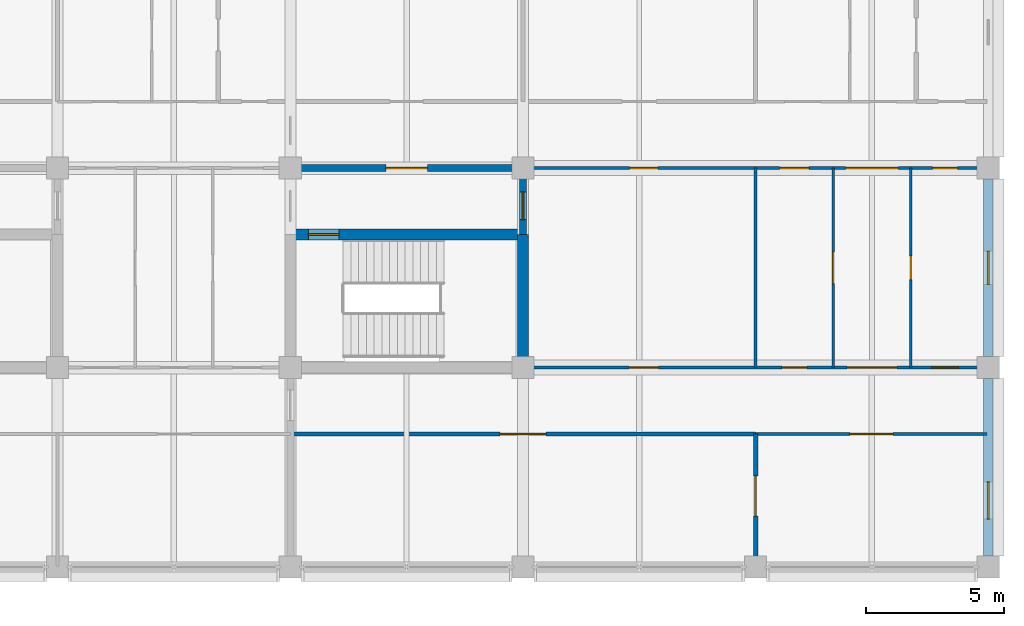
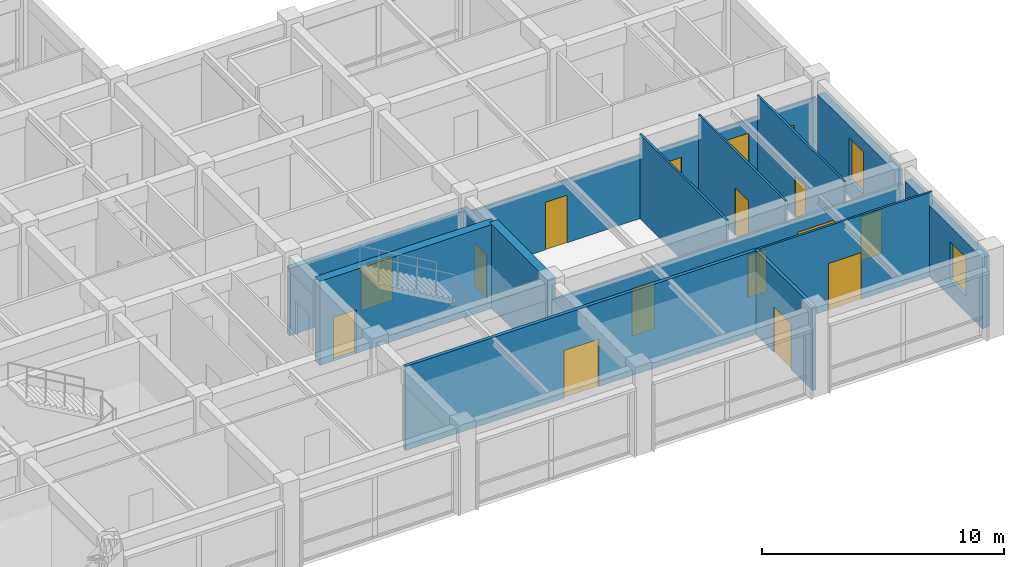
# One storey, part 24 of 30: 16 doors, 14 walls, 2 windows, 18 openings.
"""IFC4 building model written with IfcOpenShell, lengths in metres."""

import ifcopenshell
import ifcopenshell.guid

model = None  # the IFC model being written
_history = None  # IfcOwnerHistory: only IFC2X3 demands one
_inside = {}  # id of a spatial element -> (the spatial element, [elements in it])
_under = {}  # id of a project, library or spatial element -> (it, [spatial elements below it])
_declared = {}  # id of a project -> (the project, [libraries it declares])
_typed = {}  # id of a type object -> (the type object, [elements of that type])
_made_of = {}  # id of a material, layer set ... -> (it, [elements and type objects made of it])


def new_model(schema):
    """Start an empty IFC model of exactly this schema.

    Asked for "IFC4X3", IfcOpenShell would pick the latest addendum, in which some entities
    have other attributes; the version numbers below select the first issue.
    IFC2X3 requires an IfcOwnerHistory on every rooted entity: one is made here for all.
    """
    global model, _history
    if schema == "IFC4X3":
        model = ifcopenshell.file(schema_version=(4, 3, 0, 0))
    else:
        model = ifcopenshell.file(schema=schema)
    _inside.clear()
    _under.clear()
    _declared.clear()
    _typed.clear()
    _made_of.clear()
    _history = None
    if model.schema == "IFC2X3":
        org = make("IfcOrganization", Name="unknown")
        user = make(
            "IfcPersonAndOrganization",
            ThePerson=make("IfcPerson", FamilyName="unknown"),
            TheOrganization=org,
        )
        app = make(
            "IfcApplication",
            ApplicationDeveloper=org,
            Version="unknown",
            ApplicationFullName="unknown",
            ApplicationIdentifier="unknown",
        )
        _history = make(
            "IfcOwnerHistory",
            OwningUser=user,
            OwningApplication=app,
            ChangeAction="ADDED",
            CreationDate=0,
        )
    return model


def make(cls, **values):
    """One entity of the class cls with the attributes given. An attribute that is None is left unset."""
    return model.create_entity(
        cls, **{name: value for name, value in values.items() if value is not None}
    )


def rooted(cls, **values):
    """An entity with a GlobalId (a new one), such as an element, a storey or a relation."""
    return make(cls, GlobalId=ifcopenshell.guid.new(), OwnerHistory=_history, **values)


def si_unit(unit_type, name, prefix=None):
    """IfcSIUnit, for example si_unit("LENGTHUNIT", "METRE", prefix="MILLI")."""
    return make("IfcSIUnit", UnitType=unit_type, Prefix=prefix, Name=name)


def assignment(units):
    """IfcUnitAssignment: the units of a project."""
    return None if units is None else make("IfcUnitAssignment", Units=units)


def point(xyz):
    """IfcCartesianPoint."""
    return None if xyz is None else make("IfcCartesianPoint", Coordinates=xyz)


def direction(xyz):
    """IfcDirection."""
    return None if xyz is None else make("IfcDirection", DirectionRatios=xyz)


def frame(location, z_axis=None, x_axis=None):
    """IfcAxis2Placement3D, a coordinate frame: its origin and axes. An axis left out is left unset."""
    return make(
        "IfcAxis2Placement3D",
        Location=point(location),
        Axis=direction(z_axis),
        RefDirection=direction(x_axis),
    )


def frame_2d(location, x_axis=None):
    """IfcAxis2Placement2D, a coordinate frame in the plane: its origin and x axis."""
    return make(
        "IfcAxis2Placement2D", Location=point(location), RefDirection=direction(x_axis)
    )


def origin():
    """The frame at (0, 0, 0) with its axes left unset."""
    return frame((0.0, 0.0, 0.0))


def place(relative_to, where):
    """IfcLocalPlacement: puts the frame where relative to a parent placement (None: the world)."""
    return make(
        "IfcLocalPlacement", PlacementRelTo=relative_to, RelativePlacement=where
    )


def context(
    kind, dimensions, precision=None, world=None, true_north=None, identifier=None
):
    """IfcGeometricRepresentationContext, for example the 3D "Model" context."""
    return make(
        "IfcGeometricRepresentationContext",
        ContextIdentifier=identifier,
        ContextType=kind,
        CoordinateSpaceDimension=dimensions,
        Precision=precision,
        WorldCoordinateSystem=world,
        TrueNorth=true_north,
    )


def subcontext(parent, identifier, kind, view, scale=None):
    """IfcGeometricRepresentationSubContext, for example "Body" below "Model"."""
    return make(
        "IfcGeometricRepresentationSubContext",
        ContextIdentifier=identifier,
        ContextType=kind,
        ParentContext=parent,
        TargetScale=scale,
        TargetView=view,
    )


def project(units=None, contexts=None):
    """IfcProject with its units and contexts."""
    return rooted(
        "IfcProject",
        Name="project",
        RepresentationContexts=contexts,
        UnitsInContext=assignment(units),
    )


def spatial(cls, under=None, at=None, **own):
    """A site, building, storey or space (cls), placed at a placement, below another one or the project."""
    s = rooted(cls, ObjectPlacement=at, **own)
    if under is not None:
        _under.setdefault(under.id(), (under, []))[1].append(s)
    return s


def profile(cls, at=None, kind="AREA", **sizes):
    """A parametric profile (cls). Its sizes go by their IFC names, for example OverallWidth=200.0."""
    return make(cls, ProfileType=kind, Position=at, **sizes)


def rectangle(**sizes):
    """IfcRectangleProfileDef."""
    return profile("IfcRectangleProfileDef", **sizes)


def extrude(swept, where, along, depth):
    """IfcExtrudedAreaSolid: the profile swept, set in the frame where, extruded along a direction by depth."""
    return make(
        "IfcExtrudedAreaSolid",
        SweptArea=swept,
        Position=where,
        ExtrudedDirection=direction(along),
        Depth=depth,
    )


def shape(context_of_items, identifier, shape_type, items):
    """IfcShapeRepresentation: the items that make up one representation, for example the "Body"."""
    return make(
        "IfcShapeRepresentation",
        ContextOfItems=context_of_items,
        RepresentationIdentifier=identifier,
        RepresentationType=shape_type,
        Items=items,
    )


def material(Name=None, Category=None):
    """IfcMaterial."""
    return make("IfcMaterial", Name=Name, Category=Category)


def layer(
    of_material, thickness, ventilated=None, Name=None, Category=None, Priority=None
):
    """IfcMaterialLayer: one layer of a wall or slab, of a material (None: an air gap)."""
    return make(
        "IfcMaterialLayer",
        Material=of_material,
        LayerThickness=thickness,
        IsVentilated=ventilated,
        Name=Name,
        Category=Category,
        Priority=Priority,
    )


def layer_set(layers, Name=None):
    """IfcMaterialLayerSet."""
    return make("IfcMaterialLayerSet", MaterialLayers=layers, LayerSetName=Name)


def made_of(thing, what):
    """Note that an element or type object is made of a material, layer set ...; save() writes the relation."""
    if what is not None:
        _made_of.setdefault(what.id(), (what, []))[1].append(thing)
    return thing


def type_object(cls, material=None, **own):
    """A type object (cls), such as IfcWallType, which elements share."""
    return made_of(rooted(cls, **own), material)


def element(
    cls,
    number,
    at=None,
    inside=None,
    cuts=None,
    type_object=None,
    material=None,
    context=None,
    identifier="Body",
    shape_type=None,
    held_by="IfcProductDefinitionShape",
    body=None,
    shapes=None,
    **own,
):
    """One element of the class cls, such as IfcWall. Its Tag is "e" and its number.

    at: its placement. inside: the storey or other place that contains it. cuts: it is an
    opening in that element (IfcRelVoidsElement). A single representation is given by context,
    identifier, shape_type and body (its items); several are given by shapes. held_by: the class
    of the entity that holds the representations. save() writes the other relations.
    """
    e = rooted(cls, Tag="e%d" % number, ObjectPlacement=at, **own)
    if body is not None:
        shapes = [shape(context, identifier, shape_type, body)]
    if shapes is not None:
        e.Representation = make(held_by, Representations=shapes)
    if inside is not None:
        _inside.setdefault(inside.id(), (inside, []))[1].append(e)
    if cuts is not None:
        rooted(
            "IfcRelVoidsElement", RelatingBuildingElement=cuts, RelatedOpeningElement=e
        )
    if type_object is not None:
        _typed.setdefault(type_object.id(), (type_object, []))[1].append(e)
    return made_of(e, material)


def fill(opening, filler):
    """IfcRelFillsElement: the door or window that sits in an opening."""
    return rooted(
        "IfcRelFillsElement",
        RelatingOpeningElement=opening,
        RelatedBuildingElement=filler,
    )


def aggregate(whole, parts):
    """IfcRelAggregates: a whole, such as a stair, and the parts it consists of."""
    return rooted("IfcRelAggregates", RelatingObject=whole, RelatedObjects=parts)


def save(model, path):
    """Write the relations noted so far, then the file.

    IfcRelAggregates (storeys below a building ...), IfcRelContainedInSpatialStructure (elements
    in a storey), IfcRelDefinesByType, IfcRelAssociatesMaterial and IfcRelDeclares: one each for
    every whole, place, type object, material and project.
    """
    for whole, parts in _under.values():
        aggregate(whole, parts)
    for where, things in _inside.values():
        rooted(
            "IfcRelContainedInSpatialStructure",
            RelatedElements=things,
            RelatingStructure=where,
        )
    for kind, things in _typed.values():
        rooted("IfcRelDefinesByType", RelatedObjects=things, RelatingType=kind)
    for what, things in _made_of.values():
        rooted("IfcRelAssociatesMaterial", RelatedObjects=things, RelatingMaterial=what)
    for by, libraries in _declared.values():
        rooted("IfcRelDeclares", RelatingContext=by, RelatedDefinitions=libraries)
    model.write(path)


model = new_model("IFC4")

# Units and contexts
model_context = context("Model", 3, precision=1e-05, world=origin(), true_north=direction((0.0, 1.0)))
body_context = subcontext(model_context, "Body", "Model", "MODEL_VIEW")
ifc_project = project(units=[si_unit("LENGTHUNIT", "METRE"), si_unit("AREAUNIT", "SQUARE_METRE"), si_unit("VOLUMEUNIT", "CUBIC_METRE"), si_unit("PLANEANGLEUNIT", "RADIAN"), si_unit("MASSUNIT", "GRAM", prefix="KILO")], contexts=[model_context])

# Site, building, storey
site_placement = place(None, origin())
site = spatial("IfcSite", under=ifc_project, at=site_placement, CompositionType="ELEMENT")
building_placement = place(site_placement, origin())
building = spatial("IfcBuilding", under=site, at=building_placement, Name="Chengyuan Square Courthouse", CompositionType="ELEMENT")
storey_placement = place(building_placement, frame((0.0, 0.0, 26.10009765625)))
storey = spatial("IfcBuildingStorey", under=building, at=storey_placement, Name="L06", CompositionType="ELEMENT", Elevation=26.10009765625)

# Wall, opening, window
ifc_material_1 = material(Name="Concrete C40", Category="concrete")
ifc_layer_1 = layer(ifc_material_1, 0.35009765625)
ifc_layer_set_1 = layer_set([ifc_layer_1], Name="Concrete C40")
wall_type_1 = type_object("IfcWallType", Name="WL-EW2", PredefinedType="STANDARD", material=ifc_layer_set_1)
wall_1_placement = place(storey_placement, frame((142.800048828125, 79.594970703125, 0.0), z_axis=(0.0, 0.0, 1.0), x_axis=(0.0, 1.0, 0.0)))
wall_1 = element("IfcWall", 1, at=wall_1_placement, inside=storey, type_object=wall_type_1, Name="Exterior Wall WL-L06-E372", PredefinedType="STANDARD", context=body_context, shape_type="SweptSolid", body=[
    extrude(rectangle(XDim=6.409912109375, YDim=0.35009765625, at=frame_2d((3.205078125, 0.0))), origin(), (0.0, 0.0, 1.0), 3.58984375),
])
opening_1_placement = place(wall_1_placement, frame((1.330078125, 0.0, 0.85009765625)))
opening_1 = element("IfcOpeningElement", 2, at=opening_1_placement, cuts=wall_1, Name="Opening WN-134", PredefinedType="OPENING", context=body_context, shape_type="SweptSolid", body=[
    extrude(rectangle(XDim=1.35009765625, YDim=1.919921875, at=frame_2d((0.675048828125, 0.9599609375))), frame((0.0, 0.18701171875, 0.0), z_axis=(0.0, -1.0, 0.0), x_axis=(1.0, 0.0, 0.0)), (0.0, 0.0, 1.0), 0.3740234375),
])
ifc_material_2 = material(Name="Thermally Broken Aluminium Triple Low-E Window", Category="aluminium")
window_type_1 = type_object("IfcWindowType", Name="WT-23", PartitioningType="SINGLE_PANEL", PredefinedType="WINDOW", material=ifc_material_2)
window_1_placement = place(opening_1_placement, origin())
window_1 = element("IfcWindow", 3, at=window_1_placement, inside=storey, type_object=window_type_1, Name="Facade Window WN-134", OverallHeight=1.919921875, OverallWidth=1.35009765625, PartitioningType="SINGLE_PANEL", PredefinedType="WINDOW", context=body_context, shape_type="SweptSolid", body=[
    extrude(rectangle(XDim=1.35009765625, YDim=1.919921875, at=frame_2d((0.675048828125, 0.9599609375))), frame((0.0, 0.030029296875, 0.0), z_axis=(0.0, -1.0, 0.0), x_axis=(1.0, 0.0, 0.0)), (0.0, 0.0, 1.0), 0.06005859375),
])
fill(opening_1, window_1)

wall_2_placement = place(storey_placement, frame((142.800048828125, 86.794921875, 0.0), z_axis=(0.0, 0.0, 1.0), x_axis=(0.0, 1.0, 0.0)))
wall_2 = element("IfcWall", 4, at=wall_2_placement, inside=storey, type_object=wall_type_1, Name="Exterior Wall WL-L06-E373", PredefinedType="STANDARD", context=body_context, shape_type="SweptSolid", body=[
    extrude(rectangle(XDim=6.41015625, YDim=0.35009765625, at=frame_2d((3.205078125, 0.0))), origin(), (0.0, 0.0, 1.0), 3.58984375),
])
opening_2_placement = place(wall_2_placement, frame((2.60498046875, 0.0, 0.85009765625)))
opening_2 = element("IfcOpeningElement", 5, at=opening_2_placement, cuts=wall_2, Name="Opening WN-135", PredefinedType="OPENING", context=body_context, shape_type="SweptSolid", body=[
    extrude(rectangle(XDim=1.199951171875, YDim=2.1201171875, at=frame_2d((0.60009765625, 1.06005859375))), frame((0.0, 0.18701171875, 0.0), z_axis=(0.0, -1.0, 0.0), x_axis=(1.0, 0.0, 0.0)), (0.0, 0.0, 1.0), 0.3740234375),
])
window_type_2 = type_object("IfcWindowType", Name="WT-18", PartitioningType="SINGLE_PANEL", PredefinedType="WINDOW", material=ifc_material_2)
window_2_placement = place(opening_2_placement, origin())
window_2 = element("IfcWindow", 6, at=window_2_placement, inside=storey, type_object=window_type_2, Name="Facade Window WN-135", OverallHeight=2.1201171875, OverallWidth=1.199951171875, PartitioningType="SINGLE_PANEL", PredefinedType="WINDOW", context=body_context, shape_type="SweptSolid", body=[
    extrude(rectangle(XDim=1.199951171875, YDim=2.1201171875, at=frame_2d((0.60009765625, 1.06005859375))), frame((0.0, 0.030029296875, 0.0), z_axis=(0.0, -1.0, 0.0), x_axis=(1.0, 0.0, 0.0)), (0.0, 0.0, 1.0), 0.06005859375),
])
fill(opening_2, window_2)

# Wall, opening, door
ifc_layer_2 = layer(ifc_material_1, 0.25)
ifc_layer_set_2 = layer_set([ifc_layer_2], Name="Concrete C40")
wall_type_2 = type_object("IfcWallType", Name="WL-FW1", PredefinedType="STANDARD", material=ifc_layer_set_2)
wall_3_placement = place(storey_placement, frame((117.60009765625, 93.60009765625, 0.0), z_axis=(0.0, 0.0, 1.0), x_axis=(1.0, 0.0, 0.0)))
wall_3 = element("IfcWall", 7, at=wall_3_placement, inside=storey, type_object=wall_type_2, Name="Interior Wall WL-L06-I2398", PredefinedType="STANDARD", context=body_context, shape_type="SweptSolid", body=[
    extrude(rectangle(XDim=8.39990234375, YDim=0.25, at=frame_2d((4.199951171875, 0.0))), origin(), (0.0, 0.0, 1.0), 3.389892578125),
])
opening_3_placement = place(wall_3_placement, frame((3.449951171875, 0.0, 0.0)))
opening_3 = element("IfcOpeningElement", 8, at=opening_3_placement, cuts=wall_3, Name="Opening DR-2132", PredefinedType="OPENING", context=body_context, shape_type="SweptSolid", body=[
    extrude(rectangle(XDim=1.5, YDim=2.25, at=frame_2d((0.75, 1.125))), frame((0.0, 0.136962890625, 0.0), z_axis=(0.0, -1.0, 0.0), x_axis=(1.0, 0.0, 0.0)), (0.0, 0.0, 1.0), 0.27392578125),
])
ifc_material_3 = material(Name="Steel Q235B Glazed Fire Door", Category="steel")
door_type_1 = type_object("IfcDoorType", Name="DT-19", OperationType="DOUBLE_DOOR_SINGLE_SWING", PredefinedType="DOOR", material=ifc_material_3)
door_1_placement = place(opening_3_placement, frame((1.5, 0.0, 0.0), z_axis=(0.0, 0.0, 1.0), x_axis=(-1.0, 0.0, 0.0)))
door_1 = element("IfcDoor", 9, at=door_1_placement, inside=storey, type_object=door_type_1, Name="Interior Door DR-2132", OperationType="DOUBLE_DOOR_SINGLE_SWING", OverallHeight=2.25, OverallWidth=1.5, PredefinedType="DOOR", context=body_context, shape_type="SweptSolid", body=[
    extrude(rectangle(XDim=1.5, YDim=2.25, at=frame_2d((0.75, 1.125))), frame((0.0, 0.02490234375, 0.0), z_axis=(0.0, -1.0, 0.0), x_axis=(1.0, 0.0, 0.0)), (0.0, 0.0, 1.0), 0.050048828125),
])
fill(opening_3, door_1)

wall_4_placement = place(storey_placement, frame((126.0, 91.199951171875, 0.0), z_axis=(0.0, 0.0, 1.0), x_axis=(0.0, 1.0, 0.0)))
wall_4 = element("IfcWall", 10, at=wall_4_placement, inside=storey, type_object=wall_type_2, Name="Interior Wall WL-L06-I2604", PredefinedType="STANDARD", context=body_context, shape_type="SweptSolid", body=[
    extrude(rectangle(XDim=2.400146484375, YDim=0.25, at=frame_2d((1.2001953125, 0.0))), origin(), (0.0, 0.0, 1.0), 3.489990234375),
])
opening_4_placement = place(wall_4_placement, frame((0.5400390625, 0.0, 0.0)))
opening_4 = element("IfcOpeningElement", 11, at=opening_4_placement, cuts=wall_4, Name="Opening DR-2134", PredefinedType="OPENING", context=body_context, shape_type="SweptSolid", body=[
    extrude(rectangle(XDim=1.0, YDim=2.199951171875, at=frame_2d((0.5, 1.10009765625))), frame((0.0, 0.136962890625, 0.0), z_axis=(0.0, -1.0, 0.0), x_axis=(1.0, 0.0, 0.0)), (0.0, 0.0, 1.0), 0.27392578125),
])
ifc_material_4 = material(Name="Steel Q235B Fire Door", Category="steel")
door_type_2 = type_object("IfcDoorType", Name="DT-11", OperationType="NOTDEFINED", PredefinedType="DOOR", material=ifc_material_4)
door_2_placement = place(opening_4_placement, origin())
door_2 = element("IfcDoor", 12, at=door_2_placement, inside=storey, type_object=door_type_2, Name="Interior Door DR-2134", OperationType="SINGLE_SWING_RIGHT", OverallHeight=2.199951171875, OverallWidth=1.0, PredefinedType="DOOR", context=body_context, shape_type="SweptSolid", body=[
    extrude(rectangle(XDim=1.0, YDim=2.199951171875, at=frame_2d((0.5, 1.10009765625))), frame((0.0, 0.02490234375, 0.0), z_axis=(0.0, -1.0, 0.0), x_axis=(1.0, 0.0, 0.0)), (0.0, 0.0, 1.0), 0.050048828125),
])
fill(opening_4, door_2)

ifc_material_5 = material(Name="Acoustic Timber-Lined Gypsum Partition", Category="wood")
ifc_layer_3 = layer(ifc_material_5, 0.159912109375)
ifc_layer_set_3 = layer_set([ifc_layer_3], Name="Acoustic Timber-Lined Gypsum Partition")
wall_type_3 = type_object("IfcWallType", Name="WL-PT2", PredefinedType="STANDARD", material=ifc_layer_set_3)
wall_5_placement = place(storey_placement, frame((117.60009765625, 84.0, 0.0), z_axis=(0.0, 0.0, 1.0), x_axis=(1.0, 0.0, 0.0)))
wall_5 = element("IfcWall", 13, at=wall_5_placement, inside=storey, type_object=wall_type_3, Name="Interior Wall WL-L06-I2364", PredefinedType="STANDARD", context=body_context, shape_type="SweptSolid", body=[
    extrude(rectangle(XDim=16.7998046875, YDim=0.159912109375, at=frame_2d((8.39990234375, 0.0))), origin(), (0.0, 0.0, 1.0), 4.239990234375),
])
opening_5_placement = place(wall_5_placement, frame((7.574951171875, 0.0, 0.0)))
opening_5 = element("IfcOpeningElement", 14, at=opening_5_placement, cuts=wall_5, Name="Opening DR-2299", PredefinedType="OPENING", context=body_context, shape_type="SweptSolid", body=[
    extrude(rectangle(XDim=1.64990234375, YDim=2.39990234375, at=frame_2d((0.824951171875, 1.199951171875))), frame((0.0, 0.092041015625, 0.0), z_axis=(0.0, -1.0, 0.0), x_axis=(1.0, 0.0, 0.0)), (0.0, 0.0, 1.0), 0.183837890625),
])
ifc_material_6 = material(Name="Acoustic Larch Veneer Double Door")
door_type_3 = type_object("IfcDoorType", Name="DT-22", OperationType="DOUBLE_DOOR_SINGLE_SWING", PredefinedType="DOOR", material=ifc_material_6)
door_3_placement = place(opening_5_placement, frame((1.64990234375, 0.0, 0.0), z_axis=(0.0, 0.0, 1.0), x_axis=(-1.0, 0.0, 0.0)))
door_3 = element("IfcDoor", 15, at=door_3_placement, inside=storey, type_object=door_type_3, Name="Interior Door DR-2299", OperationType="DOUBLE_DOOR_SINGLE_SWING", OverallHeight=2.39990234375, OverallWidth=1.64990234375, PredefinedType="DOOR", context=body_context, shape_type="SweptSolid", body=[
    extrude(rectangle(XDim=1.64990234375, YDim=2.39990234375, at=frame_2d((0.824951171875, 1.199951171875))), frame((0.0, 0.02490234375, 0.0), z_axis=(0.0, -1.0, 0.0), x_axis=(1.0, 0.0, 0.0)), (0.0, 0.0, 1.0), 0.050048828125),
])
fill(opening_5, door_3)

wall_6_placement = place(storey_placement, frame((134.39990234375, 79.239990234375, 0.0), z_axis=(0.0, 0.0, 1.0), x_axis=(0.0, 1.0, 0.0)))
wall_6 = element("IfcWall", 16, at=wall_6_placement, inside=storey, type_object=wall_type_3, Name="Interior Wall WL-L06-I2608", PredefinedType="STANDARD", context=body_context, shape_type="SweptSolid", body=[
    extrude(rectangle(XDim=4.760009765625, YDim=0.159912109375, at=frame_2d((2.3798828125, 0.0))), origin(), (0.0, 0.0, 1.0), 4.239990234375),
])
opening_6_placement = place(wall_6_placement, frame((1.794921875, 0.0, 0.0)))
opening_6 = element("IfcOpeningElement", 17, at=opening_6_placement, cuts=wall_6, Name="Opening DR-2302", PredefinedType="OPENING", context=body_context, shape_type="SweptSolid", body=[
    extrude(rectangle(XDim=1.449951171875, YDim=2.300048828125, at=frame_2d((0.72509765625, 1.14990234375))), frame((0.0, 0.092041015625, 0.0), z_axis=(0.0, -1.0, 0.0), x_axis=(1.0, 0.0, 0.0)), (0.0, 0.0, 1.0), 0.183837890625),
])
door_type_4 = type_object("IfcDoorType", Name="DT-25", OperationType="DOUBLE_DOOR_SINGLE_SWING", PredefinedType="DOOR", material=ifc_material_6)
door_4_placement = place(opening_6_placement, frame((1.449951171875, 0.0, 0.0), z_axis=(0.0, 0.0, 1.0), x_axis=(-1.0, 0.0, 0.0)))
door_4 = element("IfcDoor", 18, at=door_4_placement, inside=storey, type_object=door_type_4, Name="Interior Door DR-2302", OperationType="DOUBLE_DOOR_SINGLE_SWING", OverallHeight=2.300048828125, OverallWidth=1.449951171875, PredefinedType="DOOR", context=body_context, shape_type="SweptSolid", body=[
    extrude(rectangle(XDim=1.449951171875, YDim=2.300048828125, at=frame_2d((0.72509765625, 1.14990234375))), frame((0.0, 0.02490234375, 0.0), z_axis=(0.0, -1.0, 0.0), x_axis=(1.0, 0.0, 0.0)), (0.0, 0.0, 1.0), 0.050048828125),
])
fill(opening_6, door_4)

ifc_material_7 = material(Name="Gypsum Plasterboard Acoustic Stud Partition")
ifc_layer_4 = layer(ifc_material_7, 0.10009765625)
ifc_layer_set_4 = layer_set([ifc_layer_4], Name="Gypsum Plasterboard Acoustic Stud Partition")
wall_type_4 = type_object("IfcWallType", Name="WL-PT6", PredefinedType="STANDARD", material=ifc_layer_set_4)
wall_7_placement = place(storey_placement, frame((134.39990234375, 84.0, 0.0), z_axis=(0.0, 0.0, 1.0), x_axis=(1.0, 0.0, 0.0)))
wall_7 = element("IfcWall", 19, at=wall_7_placement, inside=storey, type_object=wall_type_4, Name="Interior Wall WL-L06-I2365", PredefinedType="STANDARD", context=body_context, shape_type="SweptSolid", body=[
    extrude(rectangle(XDim=8.360107421875, YDim=0.10009765625, at=frame_2d((4.18017578125, 0.0))), origin(), (0.0, 0.0, 1.0), 4.239990234375),
])
opening_7_placement = place(wall_7_placement, frame((3.405029296875, 0.0, 0.0)))
opening_7 = element("IfcOpeningElement", 20, at=opening_7_placement, cuts=wall_7, Name="Opening DR-2300", PredefinedType="OPENING", context=body_context, shape_type="SweptSolid", body=[
    extrude(rectangle(XDim=1.550048828125, YDim=2.35009765625, at=frame_2d((0.77490234375, 1.175048828125))), frame((0.0, 0.06201171875, 0.0), z_axis=(0.0, -1.0, 0.0), x_axis=(1.0, 0.0, 0.0)), (0.0, 0.0, 1.0), 0.1240234375),
])
door_type_5 = type_object("IfcDoorType", Name="DT-23", OperationType="DOUBLE_DOOR_SINGLE_SWING", PredefinedType="DOOR", material=ifc_material_6)
door_5_placement = place(opening_7_placement, frame((1.550048828125, 0.0, 0.0), z_axis=(0.0, 0.0, 1.0), x_axis=(-1.0, 0.0, 0.0)))
door_5 = element("IfcDoor", 21, at=door_5_placement, inside=storey, type_object=door_type_5, Name="Interior Door DR-2300", OperationType="DOUBLE_DOOR_SINGLE_SWING", OverallHeight=2.35009765625, OverallWidth=1.550048828125, PredefinedType="DOOR", context=body_context, shape_type="SweptSolid", body=[
    extrude(rectangle(XDim=1.550048828125, YDim=2.35009765625, at=frame_2d((0.77490234375, 1.175048828125))), frame((0.0, 0.02490234375, 0.0), z_axis=(0.0, -1.0, 0.0), x_axis=(1.0, 0.0, 0.0)), (0.0, 0.0, 1.0), 0.050048828125),
])
fill(opening_7, door_5)

# Wall, openings, doors
wall_8_placement = place(storey_placement, frame((126.0, 86.39990234375, 0.0), z_axis=(0.0, 0.0, 1.0), x_axis=(1.0, 0.0, 0.0)))
wall_8 = element("IfcWall", 22, at=wall_8_placement, inside=storey, type_object=wall_type_4, Name="Interior Wall WL-L06-I2377", PredefinedType="STANDARD", context=body_context, shape_type="SweptSolid", body=[
    extrude(rectangle(XDim=16.760009765625, YDim=0.10009765625, at=frame_2d((8.3798828125, 0.0))), origin(), (0.0, 0.0, 1.0), 3.18994140625),
])
opening_8_placement = place(wall_8_placement, frame((3.830078125, 0.0, 0.0)))
opening_8 = element("IfcOpeningElement", 23, at=opening_8_placement, cuts=wall_8, Name="Opening DR-2270", PredefinedType="OPENING", context=body_context, shape_type="SweptSolid", body=[
    extrude(rectangle(XDim=1.06005859375, YDim=2.39990234375, at=frame_2d((0.530029296875, 1.199951171875))), frame((0.0, 0.06201171875, 0.0), z_axis=(0.0, -1.0, 0.0), x_axis=(1.0, 0.0, 0.0)), (0.0, 0.0, 1.0), 0.1240234375),
])
opening_9_placement = place(wall_8_placement, frame((9.35009765625, 0.0, 0.0)))
opening_9 = element("IfcOpeningElement", 24, at=opening_9_placement, cuts=wall_8, Name="Opening DR-2272", PredefinedType="OPENING", context=body_context, shape_type="SweptSolid", body=[
    extrude(rectangle(XDim=0.89990234375, YDim=2.14990234375, at=frame_2d((0.449951171875, 1.074951171875))), frame((0.0, 0.06201171875, 0.0), z_axis=(0.0, -1.0, 0.0), x_axis=(1.0, 0.0, 0.0)), (0.0, 0.0, 1.0), 0.1240234375),
])
opening_10_placement = place(wall_8_placement, frame((11.699951171875, 0.0, 0.0)))
opening_10 = element("IfcOpeningElement", 25, at=opening_10_placement, cuts=wall_8, Name="Opening DR-2274", PredefinedType="OPENING", context=body_context, shape_type="SweptSolid", body=[
    extrude(rectangle(XDim=1.800048828125, YDim=2.5, at=frame_2d((0.89990234375, 1.25))), frame((0.0, 0.06201171875, 0.0), z_axis=(0.0, -1.0, 0.0), x_axis=(1.0, 0.0, 0.0)), (0.0, 0.0, 1.0), 0.1240234375),
])
opening_11_placement = place(wall_8_placement, frame((14.760009765625, 0.0, 0.0)))
opening_11 = element("IfcOpeningElement", 26, at=opening_11_placement, cuts=wall_8, Name="Opening DR-2275", PredefinedType="OPENING", context=body_context, shape_type="SweptSolid", body=[
    extrude(rectangle(XDim=0.9599609375, YDim=2.199951171875, at=frame_2d((0.47998046875, 1.10009765625))), frame((0.0, 0.06201171875, 0.0), z_axis=(0.0, -1.0, 0.0), x_axis=(1.0, 0.0, 0.0)), (0.0, 0.0, 1.0), 0.1240234375),
])
door_type_6 = type_object("IfcDoorType", Name="DT-21", OperationType="DOUBLE_DOOR_SINGLE_SWING", PredefinedType="DOOR", material=ifc_material_6)
door_6_placement = place(opening_10_placement, frame((1.800048828125, 0.0, 0.0), z_axis=(0.0, 0.0, 1.0), x_axis=(-1.0, 0.0, 0.0)))
door_6 = element("IfcDoor", 27, at=door_6_placement, inside=storey, type_object=door_type_6, Name="Interior Door DR-2274", OperationType="DOUBLE_DOOR_SINGLE_SWING", OverallHeight=2.5, OverallWidth=1.800048828125, PredefinedType="DOOR", context=body_context, shape_type="SweptSolid", body=[
    extrude(rectangle(XDim=1.800048828125, YDim=2.5, at=frame_2d((0.89990234375, 1.25))), frame((0.0, 0.02490234375, 0.0), z_axis=(0.0, -1.0, 0.0), x_axis=(1.0, 0.0, 0.0)), (0.0, 0.0, 1.0), 0.050048828125),
])
fill(opening_10, door_6)
ifc_material_8 = material(Name="Acoustic Solid-Core Timber Door", Category="wood")
door_type_7 = type_object("IfcDoorType", Name="DT-27", OperationType="NOTDEFINED", PredefinedType="DOOR", material=ifc_material_8)
door_7_placement = place(opening_9_placement, origin())
door_7 = element("IfcDoor", 28, at=door_7_placement, inside=storey, type_object=door_type_7, Name="Interior Door DR-2272", OperationType="SINGLE_SWING_LEFT", OverallHeight=2.14990234375, OverallWidth=0.89990234375, PredefinedType="DOOR", context=body_context, shape_type="SweptSolid", body=[
    extrude(rectangle(XDim=0.89990234375, YDim=2.14990234375, at=frame_2d((0.449951171875, 1.074951171875))), frame((0.0, 0.02490234375, 0.0), z_axis=(0.0, -1.0, 0.0), x_axis=(1.0, 0.0, 0.0)), (0.0, 0.0, 1.0), 0.050048828125),
])
fill(opening_9, door_7)
door_type_8 = type_object("IfcDoorType", Name="DT-30", OperationType="NOTDEFINED", PredefinedType="DOOR", material=ifc_material_8)
door_8_placement = place(opening_11_placement, origin())
door_8 = element("IfcDoor", 29, at=door_8_placement, inside=storey, type_object=door_type_8, Name="Interior Door DR-2275", OperationType="SINGLE_SWING_LEFT", OverallHeight=2.199951171875, OverallWidth=0.9599609375, PredefinedType="DOOR", context=body_context, shape_type="SweptSolid", body=[
    extrude(rectangle(XDim=0.9599609375, YDim=2.199951171875, at=frame_2d((0.47998046875, 1.10009765625))), frame((0.0, 0.02490234375, 0.0), z_axis=(0.0, -1.0, 0.0), x_axis=(1.0, 0.0, 0.0)), (0.0, 0.0, 1.0), 0.050048828125),
])
fill(opening_11, door_8)
door_type_9 = type_object("IfcDoorType", Name="DT-42", OperationType="NOTDEFINED", PredefinedType="DOOR", material=ifc_material_8)
door_9_placement = place(opening_8_placement, origin())
door_9 = element("IfcDoor", 30, at=door_9_placement, inside=storey, type_object=door_type_9, Name="Interior Door DR-2270", OperationType="SINGLE_SWING_LEFT", OverallHeight=2.39990234375, OverallWidth=1.06005859375, PredefinedType="DOOR", context=body_context, shape_type="SweptSolid", body=[
    extrude(rectangle(XDim=1.06005859375, YDim=2.39990234375, at=frame_2d((0.530029296875, 1.199951171875))), frame((0.0, 0.02490234375, 0.0), z_axis=(0.0, -1.0, 0.0), x_axis=(1.0, 0.0, 0.0)), (0.0, 0.0, 1.0), 0.050048828125),
])
fill(opening_8, door_9)

wall_9_placement = place(storey_placement, frame((126.0, 93.60009765625, 0.0), z_axis=(0.0, 0.0, 1.0), x_axis=(1.0, 0.0, 0.0)))
wall_9 = element("IfcWall", 31, at=wall_9_placement, inside=storey, type_object=wall_type_4, Name="Interior Wall WL-L06-I2399", PredefinedType="STANDARD", context=body_context, shape_type="SweptSolid", body=[
    extrude(rectangle(XDim=16.760009765625, YDim=0.10009765625, at=frame_2d((8.3798828125, 0.0))), origin(), (0.0, 0.0, 1.0), 3.18994140625),
])
opening_12_placement = place(wall_9_placement, frame((3.85009765625, 0.0, 0.0)))
opening_12 = element("IfcOpeningElement", 32, at=opening_12_placement, cuts=wall_9, Name="Opening DR-2235", PredefinedType="OPENING", context=body_context, shape_type="SweptSolid", body=[
    extrude(rectangle(XDim=1.02001953125, YDim=2.39990234375, at=frame_2d((0.510009765625, 1.199951171875))), frame((0.0, 0.06201171875, 0.0), z_axis=(0.0, -1.0, 0.0), x_axis=(1.0, 0.0, 0.0)), (0.0, 0.0, 1.0), 0.1240234375),
])
opening_13_placement = place(wall_9_placement, frame((9.27001953125, 0.0, 0.0)))
opening_13 = element("IfcOpeningElement", 33, at=opening_13_placement, cuts=wall_9, Name="Opening DR-2236", PredefinedType="OPENING", context=body_context, shape_type="SweptSolid", body=[
    extrude(rectangle(XDim=1.06005859375, YDim=2.39990234375, at=frame_2d((0.530029296875, 1.199951171875))), frame((0.0, 0.06201171875, 0.0), z_axis=(0.0, -1.0, 0.0), x_axis=(1.0, 0.0, 0.0)), (0.0, 0.0, 1.0), 0.1240234375),
])
opening_14_placement = place(wall_9_placement, frame((11.64990234375, 0.0, 0.0)))
opening_14 = element("IfcOpeningElement", 34, at=opening_14_placement, cuts=wall_9, Name="Opening DR-2237", PredefinedType="OPENING", context=body_context, shape_type="SweptSolid", body=[
    extrude(rectangle(XDim=1.89990234375, YDim=2.5, at=frame_2d((0.949951171875, 1.25))), frame((0.0, 0.06201171875, 0.0), z_axis=(0.0, -1.0, 0.0), x_axis=(1.0, 0.0, 0.0)), (0.0, 0.0, 1.0), 0.1240234375),
])
opening_15_placement = place(wall_9_placement, frame((14.7900390625, 0.0, 0.0)))
opening_15 = element("IfcOpeningElement", 35, at=opening_15_placement, cuts=wall_9, Name="Opening DR-2238", PredefinedType="OPENING", context=body_context, shape_type="SweptSolid", body=[
    extrude(rectangle(XDim=0.89990234375, YDim=2.14990234375, at=frame_2d((0.449951171875, 1.074951171875))), frame((0.0, 0.06201171875, 0.0), z_axis=(0.0, -1.0, 0.0), x_axis=(1.0, 0.0, 0.0)), (0.0, 0.0, 1.0), 0.1240234375),
])
door_type_10 = type_object("IfcDoorType", Name="DT-26", OperationType="DOUBLE_DOOR_SINGLE_SWING", PredefinedType="DOOR", material=ifc_material_6)
door_10_placement = place(opening_14_placement, frame((1.89990234375, 0.0, 0.0), z_axis=(0.0, 0.0, 1.0), x_axis=(-1.0, 0.0, 0.0)))
door_10 = element("IfcDoor", 36, at=door_10_placement, inside=storey, type_object=door_type_10, Name="Interior Door DR-2237", OperationType="DOUBLE_DOOR_SINGLE_SWING", OverallHeight=2.5, OverallWidth=1.89990234375, PredefinedType="DOOR", context=body_context, shape_type="SweptSolid", body=[
    extrude(rectangle(XDim=1.89990234375, YDim=2.5, at=frame_2d((0.949951171875, 1.25))), frame((0.0, 0.02490234375, 0.0), z_axis=(0.0, -1.0, 0.0), x_axis=(1.0, 0.0, 0.0)), (0.0, 0.0, 1.0), 0.050048828125),
])
fill(opening_14, door_10)
door_11_placement = place(opening_15_placement, origin())
door_11 = element("IfcDoor", 37, at=door_11_placement, inside=storey, type_object=door_type_7, Name="Interior Door DR-2238", OperationType="SINGLE_SWING_RIGHT", OverallHeight=2.14990234375, OverallWidth=0.89990234375, PredefinedType="DOOR", context=body_context, shape_type="SweptSolid", body=[
    extrude(rectangle(XDim=0.89990234375, YDim=2.14990234375, at=frame_2d((0.449951171875, 1.074951171875))), frame((0.0, 0.02490234375, 0.0), z_axis=(0.0, -1.0, 0.0), x_axis=(1.0, 0.0, 0.0)), (0.0, 0.0, 1.0), 0.050048828125),
])
fill(opening_15, door_11)
door_type_11 = type_object("IfcDoorType", Name="DT-41", OperationType="NOTDEFINED", PredefinedType="DOOR", material=ifc_material_8)
door_12_placement = place(opening_12_placement, origin())
door_12 = element("IfcDoor", 38, at=door_12_placement, inside=storey, type_object=door_type_11, Name="Interior Door DR-2235", OperationType="SINGLE_SWING_RIGHT", OverallHeight=2.39990234375, OverallWidth=1.02001953125, PredefinedType="DOOR", context=body_context, shape_type="SweptSolid", body=[
    extrude(rectangle(XDim=1.02001953125, YDim=2.39990234375, at=frame_2d((0.510009765625, 1.199951171875))), frame((0.0, 0.02490234375, 0.0), z_axis=(0.0, -1.0, 0.0), x_axis=(1.0, 0.0, 0.0)), (0.0, 0.0, 1.0), 0.050048828125),
])
fill(opening_12, door_12)
door_13_placement = place(opening_13_placement, origin())
door_13 = element("IfcDoor", 39, at=door_13_placement, inside=storey, type_object=door_type_9, Name="Interior Door DR-2236", OperationType="SINGLE_SWING_LEFT", OverallHeight=2.39990234375, OverallWidth=1.06005859375, PredefinedType="DOOR", context=body_context, shape_type="SweptSolid", body=[
    extrude(rectangle(XDim=1.06005859375, YDim=2.39990234375, at=frame_2d((0.530029296875, 1.199951171875))), frame((0.0, 0.02490234375, 0.0), z_axis=(0.0, -1.0, 0.0), x_axis=(1.0, 0.0, 0.0)), (0.0, 0.0, 1.0), 0.050048828125),
])
fill(opening_13, door_13)

# Wall
wall_10_placement = place(storey_placement, frame((134.39990234375, 86.39990234375, 0.0), z_axis=(0.0, 0.0, 1.0), x_axis=(0.0, 1.0, 0.0)))
element("IfcWall", 40, at=wall_10_placement, inside=storey, type_object=wall_type_4, Name="Interior Wall WL-L06-I2609", PredefinedType="STANDARD", context=body_context, shape_type="SweptSolid", body=[
    extrude(rectangle(XDim=7.2001953125, YDim=0.10009765625, at=frame_2d((3.60009765625, 0.0))), origin(), (0.0, 0.0, 1.0), 4.239990234375),
])

# Wall, opening, door
wall_11_placement = place(storey_placement, frame((137.199951171875, 86.39990234375, 0.0), z_axis=(0.0, 0.0, 1.0), x_axis=(0.0, 1.0, 0.0)))
wall_11 = element("IfcWall", 41, at=wall_11_placement, inside=storey, type_object=wall_type_4, Name="Interior Wall WL-L06-I2612", PredefinedType="STANDARD", context=body_context, shape_type="SweptSolid", body=[
    extrude(rectangle(XDim=7.2001953125, YDim=0.10009765625, at=frame_2d((3.60009765625, 0.0))), origin(), (0.0, 0.0, 1.0), 4.239990234375),
])
opening_16_placement = place(wall_11_placement, frame((3.030029296875, 0.0, 0.0)))
opening_16 = element("IfcOpeningElement", 42, at=opening_16_placement, cuts=wall_11, Name="Opening DR-2271", PredefinedType="OPENING", context=body_context, shape_type="SweptSolid", body=[
    extrude(rectangle(XDim=1.139892578125, YDim=2.39990234375, at=frame_2d((0.56982421875, 1.199951171875))), frame((0.0, 0.06201171875, 0.0), z_axis=(0.0, -1.0, 0.0), x_axis=(1.0, 0.0, 0.0)), (0.0, 0.0, 1.0), 0.1240234375),
])
door_type_12 = type_object("IfcDoorType", Name="DT-43", OperationType="NOTDEFINED", PredefinedType="DOOR", material=ifc_material_8)
door_14_placement = place(opening_16_placement, origin())
door_14 = element("IfcDoor", 43, at=door_14_placement, inside=storey, type_object=door_type_12, Name="Interior Door DR-2271", OperationType="SINGLE_SWING_RIGHT", OverallHeight=2.39990234375, OverallWidth=1.139892578125, PredefinedType="DOOR", context=body_context, shape_type="SweptSolid", body=[
    extrude(rectangle(XDim=1.139892578125, YDim=2.39990234375, at=frame_2d((0.56982421875, 1.199951171875))), frame((0.0, 0.02490234375, 0.0), z_axis=(0.0, -1.0, 0.0), x_axis=(1.0, 0.0, 0.0)), (0.0, 0.0, 1.0), 0.050048828125),
])
fill(opening_16, door_14)

wall_12_placement = place(storey_placement, frame((140.0, 86.39990234375, 0.0), z_axis=(0.0, 0.0, 1.0), x_axis=(0.0, 1.0, 0.0)))
wall_12 = element("IfcWall", 44, at=wall_12_placement, inside=storey, type_object=wall_type_4, Name="Interior Wall WL-L06-I2614", PredefinedType="STANDARD", context=body_context, shape_type="SweptSolid", body=[
    extrude(rectangle(XDim=7.2001953125, YDim=0.10009765625, at=frame_2d((3.60009765625, 0.0))), origin(), (0.0, 0.0, 1.0), 4.239990234375),
])
opening_17_placement = place(wall_12_placement, frame((3.169921875, 0.0, 0.0)))
opening_17 = element("IfcOpeningElement", 45, at=opening_17_placement, cuts=wall_12, Name="Opening DR-2273", PredefinedType="OPENING", context=body_context, shape_type="SweptSolid", body=[
    extrude(rectangle(XDim=0.860107421875, YDim=2.10009765625, at=frame_2d((0.43017578125, 1.050048828125))), frame((0.0, 0.06201171875, 0.0), z_axis=(0.0, -1.0, 0.0), x_axis=(1.0, 0.0, 0.0)), (0.0, 0.0, 1.0), 0.1240234375),
])
door_type_13 = type_object("IfcDoorType", Name="DT-28", OperationType="NOTDEFINED", PredefinedType="DOOR", material=ifc_material_8)
door_15_placement = place(opening_17_placement, origin())
door_15 = element("IfcDoor", 46, at=door_15_placement, inside=storey, type_object=door_type_13, Name="Interior Door DR-2273", OperationType="SINGLE_SWING_RIGHT", OverallHeight=2.10009765625, OverallWidth=0.860107421875, PredefinedType="DOOR", context=body_context, shape_type="SweptSolid", body=[
    extrude(rectangle(XDim=0.860107421875, YDim=2.10009765625, at=frame_2d((0.43017578125, 1.050048828125))), frame((0.0, 0.02490234375, 0.0), z_axis=(0.0, -1.0, 0.0), x_axis=(1.0, 0.0, 0.0)), (0.0, 0.0, 1.0), 0.050048828125),
])
fill(opening_17, door_15)

ifc_material_9 = material(Name="Concrete C50", Category="concrete")
ifc_layer_5 = layer(ifc_material_9, 0.39990234375)
ifc_layer_set_5 = layer_set([ifc_layer_5], Name="Concrete C50")
wall_type_5 = type_object("IfcWallType", Name="WL-SW1", PredefinedType="SHEAR", material=ifc_layer_set_5)
wall_13_placement = place(storey_placement, frame((117.60009765625, 91.199951171875, 0.0), z_axis=(0.0, 0.0, 1.0), x_axis=(1.0, 0.0, 0.0)))
wall_13 = element("IfcWall", 47, at=wall_13_placement, inside=storey, type_object=wall_type_5, Name="Interior Wall WL-L06-I2390", PredefinedType="SHEAR", context=body_context, shape_type="SweptSolid", body=[
    extrude(rectangle(XDim=8.39990234375, YDim=0.39990234375, at=frame_2d((4.199951171875, 0.0))), origin(), (0.0, 0.0, 1.0), 4.239990234375),
])
opening_18_placement = place(wall_13_placement, frame((0.64990234375, 0.0, 0.0)))
opening_18 = element("IfcOpeningElement", 48, at=opening_18_placement, cuts=wall_13, Name="Opening DR-2116", PredefinedType="OPENING", context=body_context, shape_type="SweptSolid", body=[
    extrude(rectangle(XDim=1.10009765625, YDim=2.199951171875, at=frame_2d((0.550048828125, 1.10009765625))), frame((0.0, 0.2119140625, 0.0), z_axis=(0.0, -1.0, 0.0), x_axis=(1.0, 0.0, 0.0)), (0.0, 0.0, 1.0), 0.423828125),
])
door_type_14 = type_object("IfcDoorType", Name="DT-10", OperationType="NOTDEFINED", PredefinedType="DOOR", material=ifc_material_4)
door_16_placement = place(opening_18_placement, frame((1.10009765625, 0.0, 0.0), z_axis=(0.0, 0.0, 1.0), x_axis=(-1.0, 0.0, 0.0)))
door_16 = element("IfcDoor", 49, at=door_16_placement, inside=storey, type_object=door_type_14, Name="Smoke-Proof Stairwell Fire Door ST-6 DR-2116", OperationType="SINGLE_SWING_RIGHT", OverallHeight=2.199951171875, OverallWidth=1.10009765625, PredefinedType="DOOR", context=body_context, shape_type="SweptSolid", body=[
    extrude(rectangle(XDim=1.10009765625, YDim=2.199951171875, at=frame_2d((0.550048828125, 1.10009765625))), frame((0.0, 0.02490234375, 0.0), z_axis=(0.0, -1.0, 0.0), x_axis=(1.0, 0.0, 0.0)), (0.0, 0.0, 1.0), 0.050048828125),
])
fill(opening_18, door_16)

# Wall
wall_14_placement = place(storey_placement, frame((126.0, 86.39990234375, 0.0), z_axis=(0.0, 0.0, 1.0), x_axis=(0.0, 1.0, 0.0)))
element("IfcWall", 50, at=wall_14_placement, inside=storey, type_object=wall_type_5, Name="Interior Wall WL-L06-I2603", PredefinedType="SHEAR", context=body_context, shape_type="SweptSolid", body=[
    extrude(rectangle(XDim=4.800048828125, YDim=0.39990234375, at=frame_2d((2.39990234375, 0.0))), origin(), (0.0, 0.0, 1.0), 4.239990234375),
])

save(model, "model.ifc")
